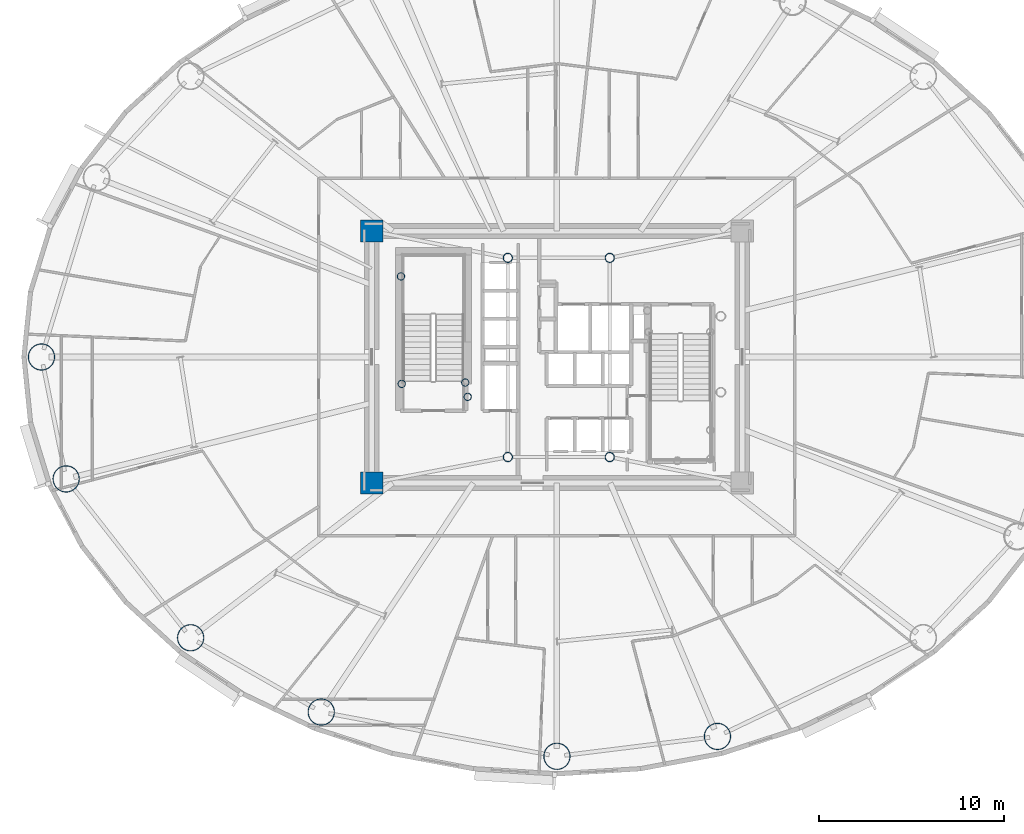
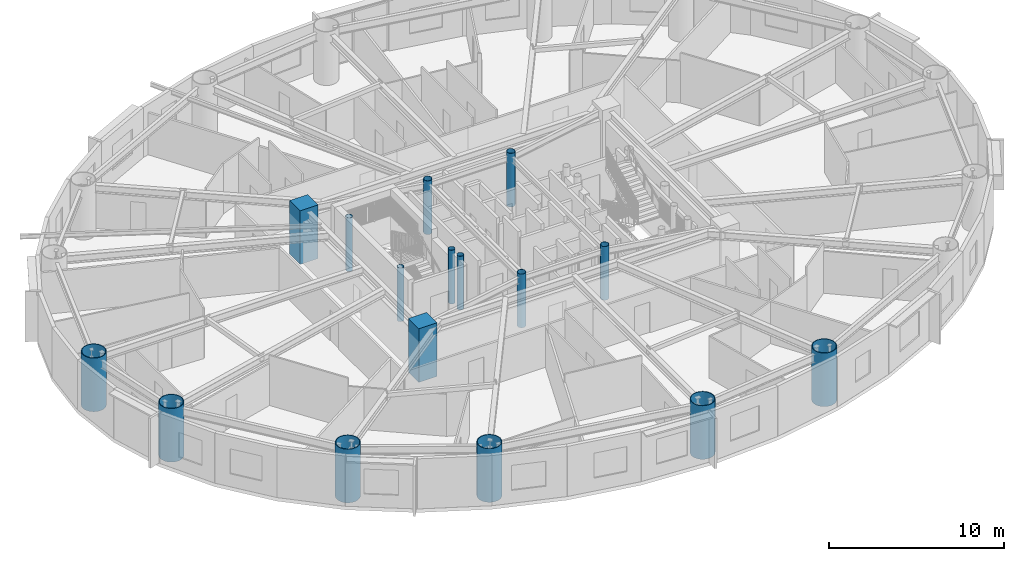
# One storey, part 1 of 21: 16 columns.
"""IFC4 building model written with IfcOpenShell, lengths in metres."""

from ifc_helpers import new_model, si_unit, direction, frame, origin, origin_2d, place, context, subcontext, project, spatial, rectangle, hollow_circle, extrude, material, material_profile, profile_set, type_object, element, save


model = new_model("IFC4")

# Units and contexts
model_context = context("Model", 3, precision=1e-05, world=origin(), true_north=direction((0.0, 1.0)))
body_context = subcontext(model_context, "Body", "Model", "MODEL_VIEW")
ifc_project = project(units=[si_unit("LENGTHUNIT", "METRE"), si_unit("AREAUNIT", "SQUARE_METRE"), si_unit("VOLUMEUNIT", "CUBIC_METRE"), si_unit("PLANEANGLEUNIT", "RADIAN"), si_unit("MASSUNIT", "GRAM", prefix="KILO")], contexts=[model_context])

# Site, building, storey
site_placement = place(None, origin())
site = spatial("IfcSite", under=ifc_project, at=site_placement, CompositionType="ELEMENT")
building_placement = place(site_placement, origin())
building = spatial("IfcBuilding", under=site, at=building_placement, Name="Linh Dai School and Residence Tower", CompositionType="ELEMENT")
storey_placement = place(building_placement, frame((0.0, 0.0, 115.949951171875)))
storey = spatial("IfcBuildingStorey", under=building, at=storey_placement, Name="L27", CompositionType="ELEMENT", Elevation=115.949951171875)

# Columns
ifc_material_1 = material(Name="Concrete B60 (C50/60)", Category="concrete")
ifc_material_profile_1 = material_profile(ifc_material_1, rectangle(XDim=1.199951171875, YDim=1.199951171875, at=origin_2d()), Name="RC 1200x1200")
ifc_profile_set_1 = profile_set([ifc_material_profile_1], Name="Concrete B60 (C50/60)")
column_type_1 = type_object("IfcColumnType", Name="COL-CC2", PredefinedType="COLUMN", material=ifc_profile_set_1)
for number, where, z_axis, x_axis, name in (
    (1, (26.0, 20.199951171875, 0.0), (0.0, 0.0, 1.0), (1.0, 0.0, 0.0), "L27 Core Corner Pier CC1"),
    (2, (26.0, 33.800048828125, 0.0), (0.0, 0.0, 1.0), (1.0, 0.0, 0.0), "L27 Core Corner Pier CC4"),
):
    element("IfcColumn", number, at=place(storey_placement, frame(where, z_axis=z_axis, x_axis=x_axis)), inside=storey, type_object=column_type_1, Name=name, PredefinedType="COLUMN", context=body_context, shape_type="SweptSolid", body=[
        extrude(rectangle(XDim=1.199951171875, YDim=1.199951171875, at=origin_2d()), origin(), (0.0, 0.0, 1.0), 3.75),
    ])
ifc_material_2 = material(Name="Structural Steel S355JR", Category="steel")
ifc_material_profile_2 = material_profile(ifc_material_2, hollow_circle(Radius=0.203125, WallThickness=0.01611328125, at=origin_2d()), Name="CHS 406.4x16")
ifc_profile_set_2 = profile_set([ifc_material_profile_2], Name="Structural Steel S355JR")
column_type_2 = type_object("IfcColumnType", Name="COL-EC", PredefinedType="COLUMN", material=ifc_profile_set_2)
for number, where, z_axis, x_axis, name in (
    (3, (27.580078125, 31.35009765625, 0.0), (0.0, 0.0, 1.0), (1.0, 0.0, 0.0), "L27 Stair Shaft Landing Support Pier ST1NW"),
    (4, (31.050048828125, 25.6201171875, 0.0), (0.0, 0.0, 1.0), (1.0, 0.0, 0.0), "L27 Stair Shaft Landing Support Pier ST1SE"),
    (5, (31.179931640625, 24.85009765625, 0.0), (0.0, 0.0, 1.0), (1.0, 0.0, 0.0), "L27 Stair Shaft Landing Support Pier ST1SM"),
    (6, (27.6201171875, 25.550048828125, 0.0), (0.0, 0.0, 1.0), (1.0, 0.0, 0.0), "L27 Stair Shaft Landing Support Pier ST1SW"),
):
    element("IfcColumn", number, at=place(storey_placement, frame(where, z_axis=z_axis, x_axis=x_axis)), inside=storey, type_object=column_type_2, Name=name, PredefinedType="COLUMN", context=body_context, shape_type="SweptSolid", body=[
        extrude(hollow_circle(Radius=0.203125, WallThickness=0.01611328125, at=origin_2d()), origin(), (0.0, 0.0, 1.0), 3.75),
    ])
ifc_material_profile_3 = material_profile(ifc_material_2, hollow_circle(Radius=0.72509765625, WallThickness=0.0419921875, at=origin_2d()), Name="CHS 1450x42")
ifc_profile_set_3 = profile_set([ifc_material_profile_3], Name="Structural Steel S355JR")
column_type_3 = type_object("IfcColumnType", Name="COL-MC3", PredefinedType="COLUMN", material=ifc_profile_set_3)
for number, where, z_axis, x_axis, name in (
    (7, (8.175048828125, 27.0, 0.0), (0.0, 0.0, 1.0), (1.0, 0.0, 0.0), "L27 Perimeter CFT Mega-Column MC09"),
    (8, (9.50732421875, 20.4189453125, 0.0), (0.0, 0.0, 1.0), (1.0, 0.0, 0.0), "L27 Perimeter CFT Mega-Column MC10"),
    (9, (16.227294921875, 11.844482421875, 0.0), (0.0, 0.0, 1.0), (1.0, 0.0, 0.0), "L27 Perimeter CFT Mega-Column MC11"),
    (10, (23.278076171875, 7.8349609375, 0.0), (0.0, 0.0, 1.0), (1.0, 0.0, 0.0), "L27 Perimeter CFT Mega-Column MC12"),
    (11, (36.0, 5.445068359375, 0.0), (0.0, 0.0, 1.0), (1.0, 0.0, 0.0), "L27 Perimeter CFT Mega-Column MC13"),
    (12, (44.66552734375, 6.519287109375, 0.0), (0.0, 0.0, 1.0), (1.0, 0.0, 0.0), "L27 Perimeter CFT Mega-Column MC14"),
):
    element("IfcColumn", number, at=place(storey_placement, frame(where, z_axis=z_axis, x_axis=x_axis)), inside=storey, type_object=column_type_3, Name=name, PredefinedType="COLUMN", context=body_context, shape_type="SweptSolid", body=[
        extrude(hollow_circle(Radius=0.72509765625, WallThickness=0.0419921875, at=origin_2d()), origin(), (0.0, 0.0, 1.0), 3.75),
    ])
ifc_material_profile_4 = material_profile(ifc_material_2, hollow_circle(Radius=0.25390625, WallThickness=0.02001953125, at=origin_2d()), Name="CHS 508x20")
ifc_profile_set_4 = profile_set([ifc_material_profile_4], Name="Structural Steel S355JR")
column_type_4 = type_object("IfcColumnType", Name="COL-MCP", PredefinedType="COLUMN", material=ifc_profile_set_4)
for number, where, z_axis, x_axis, name in (
    (13, (33.35009765625, 21.60009765625, 0.0), (0.0, 0.0, 1.0), (1.0, 0.0, 0.0), "L27 Core Mast Support Pier MCP1"),
    (14, (38.85009765625, 21.60009765625, 0.0), (0.0, 0.0, 1.0), (1.0, 0.0, 0.0), "L27 Core Mast Support Pier MCP2"),
    (15, (38.85009765625, 32.35009765625, 0.0), (0.0, 0.0, 1.0), (1.0, 0.0, 0.0), "L27 Core Mast Support Pier MCP3"),
    (16, (33.35009765625, 32.35009765625, 0.0), (0.0, 0.0, 1.0), (1.0, 0.0, 0.0), "L27 Core Mast Support Pier MCP4"),
):
    element("IfcColumn", number, at=place(storey_placement, frame(where, z_axis=z_axis, x_axis=x_axis)), inside=storey, type_object=column_type_4, Name=name, PredefinedType="COLUMN", context=body_context, shape_type="SweptSolid", body=[
        extrude(hollow_circle(Radius=0.25390625, WallThickness=0.02001953125, at=origin_2d()), origin(), (0.0, 0.0, 1.0), 3.75),
    ])

save(model, "model.ifc")
